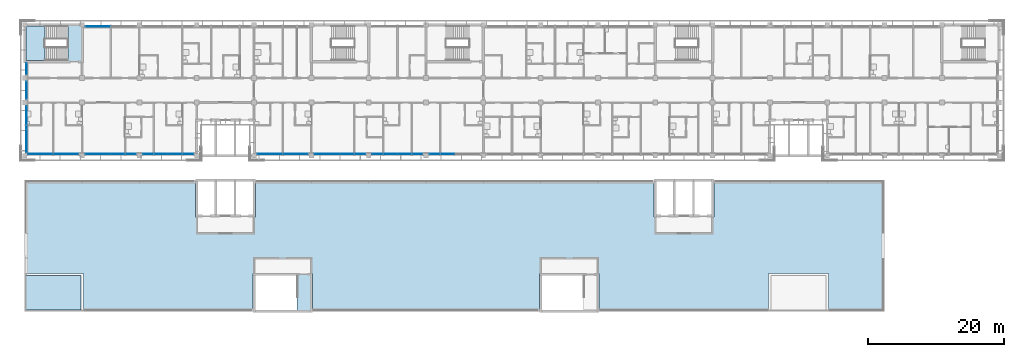
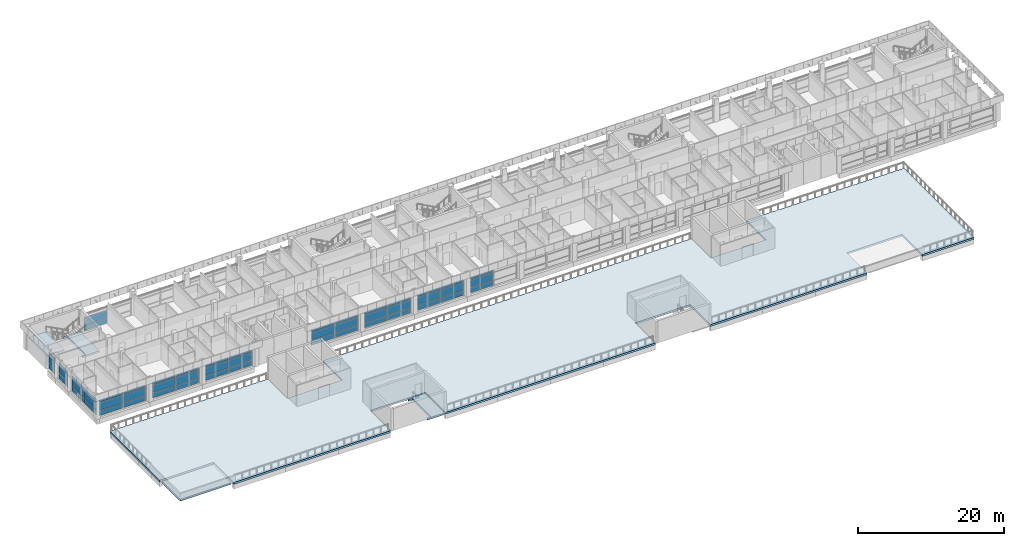
# One storey, part 14 of 46: 53 plates, 5 slabs, 12 elements without a shape of their own.
"""IFC4 building model written with IfcOpenShell, lengths in metres."""

from ifc_helpers import new_model, si_unit, direction, frame, origin, origin_2d, place, context, subcontext, project, spatial, polyline, rectangle, outline, extrude, material, layer, layer_set, type_object, element, aggregate, save


model = new_model("IFC4")

# Units and contexts
model_context = context("Model", 3, precision=1e-05, world=origin(), true_north=direction((0.0, 1.0)))
body_context = subcontext(model_context, "Body", "Model", "MODEL_VIEW")
ifc_project = project(units=[si_unit("LENGTHUNIT", "METRE"), si_unit("AREAUNIT", "SQUARE_METRE"), si_unit("VOLUMEUNIT", "CUBIC_METRE"), si_unit("PLANEANGLEUNIT", "RADIAN"), si_unit("MASSUNIT", "GRAM", prefix="KILO")], contexts=[model_context])

# Site, building, storey
site_placement = place(None, origin())
site = spatial("IfcSite", under=ifc_project, at=site_placement, CompositionType="ELEMENT")
building_placement = place(site_placement, origin())
building = spatial("IfcBuilding", under=site, at=building_placement, Name="Bougainvillea Quay General Hospital", CompositionType="ELEMENT")
storey_placement = place(building_placement, frame((0.0, 0.0, 28.800048828125)))
storey = spatial("IfcBuildingStorey", under=building, at=storey_placement, Name="L06", CompositionType="ELEMENT", Elevation=28.800048828125)

# Curtain wall, plate
ifc_material_1 = material(Name="Aluminium curtain wall system, powder-coated glazed", Category="aluminium")
curtain_wall_type_1 = type_object("IfcCurtainWallType", Name="Unitised curtain wall CW-3730", PredefinedType="NOTDEFINED", material=ifc_material_1)
curtain_wall_1_placement = place(storey_placement, origin())
curtain_wall_1 = element("IfcCurtainWall", 1, at=curtain_wall_1_placement, inside=storey, type_object=curtain_wall_type_1, Name="CW-4200 11", PredefinedType="NOTDEFINED")
ifc_material_2 = material(Name="Insulated aluminium spandrel panel, white", Category="aluminium")
ifc_layer_1 = layer(ifc_material_2, 0.028076171875)
ifc_layer_set_1 = layer_set([ifc_layer_1], Name="Insulated aluminium spandrel panel, white")
plate_type_1 = type_object("IfcPlateType", Name="Insulated spandrel panel white 28", PredefinedType="CURTAIN_PANEL", material=ifc_layer_set_1)
plate_1_placement = place(storey_placement, frame((52.75, 159.35009765625, 0.059814453125), z_axis=(0.0, 0.0, 1.0), x_axis=(-1.0, 0.0, 0.0)))
plate_1 = element("IfcPlate", 2, at=plate_1_placement, type_object=plate_type_1, Name="CW-4200 spandrel panel 2.1", PredefinedType="CURTAIN_PANEL", context=body_context, shape_type="SweptSolid", body=[
    extrude(rectangle(XDim=3.639892578125, YDim=0.028076171875, at=origin_2d()), origin(), (0.0, 0.0, 1.0), 0.81005859375),
])

# Curtain wall, plates
curtain_wall_type_2 = type_object("IfcCurtainWallType", Name="Unitised curtain wall CW-1755", PredefinedType="NOTDEFINED", material=ifc_material_1)
curtain_wall_2_placement = place(storey_placement, origin())
curtain_wall_2 = element("IfcCurtainWall", 3, at=curtain_wall_2_placement, inside=storey, type_object=curtain_wall_type_2, Name="CW-4200 00", PredefinedType="NOTDEFINED")
plate_2_placement = place(storey_placement, frame((42.25, 153.1474609375, 0.059814453125), z_axis=(0.0, 0.0, 1.0), x_axis=(0.0, -1.0, 0.0)))
plate_2 = element("IfcPlate", 4, at=plate_2_placement, type_object=plate_type_1, Name="CW-4200 spandrel panel 1.1", PredefinedType="CURTAIN_PANEL", context=body_context, shape_type="SweptSolid", body=[
    extrude(rectangle(XDim=1.635009765625, YDim=0.028076171875, at=origin_2d()), origin(), (0.0, 0.0, 1.0), 0.81005859375),
])
plate_3_placement = place(storey_placement, frame((42.25, 153.1474609375, 2.27978515625), z_axis=(0.0, 0.0, 1.0), x_axis=(0.0, -1.0, 0.0)))
plate_3 = element("IfcPlate", 5, at=plate_3_placement, type_object=plate_type_1, Name="CW-4200 spandrel panel 1.3", PredefinedType="CURTAIN_PANEL", context=body_context, shape_type="SweptSolid", body=[
    extrude(rectangle(XDim=1.635009765625, YDim=0.028076171875, at=origin_2d()), origin(), (0.0, 0.0, 1.0), 0.409912109375),
])

curtain_wall_type_3 = type_object("IfcCurtainWallType", Name="Unitised curtain wall CW-2660", PredefinedType="NOTDEFINED", material=ifc_material_1)
curtain_wall_3_placement = place(storey_placement, origin())
curtain_wall_3 = element("IfcCurtainWall", 6, at=curtain_wall_3_placement, inside=storey, type_object=curtain_wall_type_3, Name="CW-4200 01", PredefinedType="NOTDEFINED")
plate_4_placement = place(storey_placement, frame((42.25, 150.0, 0.059814453125), z_axis=(0.0, 0.0, 1.0), x_axis=(0.0, -1.0, 0.0)))
plate_4 = element("IfcPlate", 7, at=plate_4_placement, type_object=plate_type_1, Name="CW-4200 spandrel panel 1.1", PredefinedType="CURTAIN_PANEL", context=body_context, shape_type="SweptSolid", body=[
    extrude(rectangle(XDim=2.5400390625, YDim=0.028076171875, at=origin_2d()), origin(), (0.0, 0.0, 1.0), 0.81005859375),
])
plate_5_placement = place(storey_placement, frame((42.25, 150.0, 2.27978515625), z_axis=(0.0, 0.0, 1.0), x_axis=(0.0, -1.0, 0.0)))
plate_5 = element("IfcPlate", 8, at=plate_5_placement, type_object=plate_type_1, Name="CW-4200 spandrel panel 1.3", PredefinedType="CURTAIN_PANEL", context=body_context, shape_type="SweptSolid", body=[
    extrude(rectangle(XDim=2.5400390625, YDim=0.028076171875, at=origin_2d()), origin(), (0.0, 0.0, 1.0), 0.409912109375),
])

curtain_wall_type_4 = type_object("IfcCurtainWallType", Name="Unitised curtain wall CW-3430", PredefinedType="NOTDEFINED", material=ifc_material_1)
curtain_wall_4_placement = place(storey_placement, origin())
curtain_wall_4 = element("IfcCurtainWall", 9, at=curtain_wall_4_placement, inside=storey, type_object=curtain_wall_type_4, Name="CW-4200 02", PredefinedType="NOTDEFINED")
plate_6_placement = place(storey_placement, frame((42.25, 146.0, 0.059814453125), z_axis=(0.0, 0.0, 1.0), x_axis=(0.0, -1.0, 0.0)))
plate_6 = element("IfcPlate", 10, at=plate_6_placement, type_object=plate_type_1, Name="CW-4200 spandrel panel 1.1", PredefinedType="CURTAIN_PANEL", context=body_context, shape_type="SweptSolid", body=[
    extrude(rectangle(XDim=3.340087890625, YDim=0.028076171875, at=origin_2d()), origin(), (0.0, 0.0, 1.0), 0.81005859375),
])
plate_7_placement = place(storey_placement, frame((42.25, 146.0, 2.27978515625), z_axis=(0.0, 0.0, 1.0), x_axis=(0.0, -1.0, 0.0)))
plate_7 = element("IfcPlate", 11, at=plate_7_placement, type_object=plate_type_1, Name="CW-4200 spandrel panel 1.3", PredefinedType="CURTAIN_PANEL", context=body_context, shape_type="SweptSolid", body=[
    extrude(rectangle(XDim=3.340087890625, YDim=0.028076171875, at=origin_2d()), origin(), (0.0, 0.0, 1.0), 0.409912109375),
])
plate_8_placement = place(storey_placement, frame((42.25, 142.60009765625, 0.059814453125), z_axis=(0.0, 0.0, 1.0), x_axis=(0.0, -1.0, 0.0)))
plate_8 = element("IfcPlate", 12, at=plate_8_placement, type_object=plate_type_1, Name="CW-4200 spandrel panel 2.1", PredefinedType="CURTAIN_PANEL", context=body_context, shape_type="SweptSolid", body=[
    extrude(rectangle(XDim=3.340087890625, YDim=0.028076171875, at=origin_2d()), origin(), (0.0, 0.0, 1.0), 0.81005859375),
])
plate_9_placement = place(storey_placement, frame((42.25, 142.60009765625, 2.27978515625), z_axis=(0.0, 0.0, 1.0), x_axis=(0.0, -1.0, 0.0)))
plate_9 = element("IfcPlate", 13, at=plate_9_placement, type_object=plate_type_1, Name="CW-4200 spandrel panel 2.3", PredefinedType="CURTAIN_PANEL", context=body_context, shape_type="SweptSolid", body=[
    extrude(rectangle(XDim=3.340087890625, YDim=0.028076171875, at=origin_2d()), origin(), (0.0, 0.0, 1.0), 0.409912109375),
])

curtain_wall_5_placement = place(storey_placement, origin())
curtain_wall_5 = element("IfcCurtainWall", 14, at=curtain_wall_5_placement, inside=storey, type_object=curtain_wall_type_1, Name="CW-4200 00", PredefinedType="NOTDEFINED")
plate_10_placement = place(storey_placement, frame((44.35009765625, 140.64990234375, 0.059814453125), z_axis=(0.0, 0.0, 1.0), x_axis=(1.0, 0.0, 0.0)))
plate_10 = element("IfcPlate", 15, at=plate_10_placement, type_object=plate_type_1, Name="CW-4200 spandrel panel 1.1", PredefinedType="CURTAIN_PANEL", context=body_context, shape_type="SweptSolid", body=[
    extrude(rectangle(XDim=3.639892578125, YDim=0.028076171875, at=origin_2d()), origin(), (0.0, 0.0, 1.0), 0.81005859375),
])
plate_11_placement = place(storey_placement, frame((44.35009765625, 140.64990234375, 2.27978515625), z_axis=(0.0, 0.0, 1.0), x_axis=(1.0, 0.0, 0.0)))
plate_11 = element("IfcPlate", 16, at=plate_11_placement, type_object=plate_type_1, Name="CW-4200 spandrel panel 1.3", PredefinedType="CURTAIN_PANEL", context=body_context, shape_type="SweptSolid", body=[
    extrude(rectangle(XDim=3.639892578125, YDim=0.028076171875, at=origin_2d()), origin(), (0.0, 0.0, 1.0), 0.409912109375),
])
plate_12_placement = place(storey_placement, frame((48.050048828125, 140.64990234375, 0.059814453125), z_axis=(0.0, 0.0, 1.0), x_axis=(1.0, 0.0, 0.0)))
plate_12 = element("IfcPlate", 17, at=plate_12_placement, type_object=plate_type_1, Name="CW-4200 spandrel panel 2.1", PredefinedType="CURTAIN_PANEL", context=body_context, shape_type="SweptSolid", body=[
    extrude(rectangle(XDim=3.639892578125, YDim=0.028076171875, at=origin_2d()), origin(), (0.0, 0.0, 1.0), 0.81005859375),
])
plate_13_placement = place(storey_placement, frame((48.050048828125, 140.64990234375, 2.27978515625), z_axis=(0.0, 0.0, 1.0), x_axis=(1.0, 0.0, 0.0)))
plate_13 = element("IfcPlate", 18, at=plate_13_placement, type_object=plate_type_1, Name="CW-4200 spandrel panel 2.3", PredefinedType="CURTAIN_PANEL", context=body_context, shape_type="SweptSolid", body=[
    extrude(rectangle(XDim=3.639892578125, YDim=0.028076171875, at=origin_2d()), origin(), (0.0, 0.0, 1.0), 0.409912109375),
])

curtain_wall_6_placement = place(storey_placement, origin())
curtain_wall_6 = element("IfcCurtainWall", 19, at=curtain_wall_6_placement, inside=storey, type_object=curtain_wall_type_1, Name="CW-4200 01", PredefinedType="NOTDEFINED")
plate_14_placement = place(storey_placement, frame((52.75, 140.64990234375, 0.059814453125), z_axis=(0.0, 0.0, 1.0), x_axis=(1.0, 0.0, 0.0)))
plate_14 = element("IfcPlate", 20, at=plate_14_placement, type_object=plate_type_1, Name="CW-4200 spandrel panel 1.1", PredefinedType="CURTAIN_PANEL", context=body_context, shape_type="SweptSolid", body=[
    extrude(rectangle(XDim=3.639892578125, YDim=0.028076171875, at=origin_2d()), origin(), (0.0, 0.0, 1.0), 0.81005859375),
])
plate_15_placement = place(storey_placement, frame((52.75, 140.64990234375, 2.27978515625), z_axis=(0.0, 0.0, 1.0), x_axis=(1.0, 0.0, 0.0)))
plate_15 = element("IfcPlate", 21, at=plate_15_placement, type_object=plate_type_1, Name="CW-4200 spandrel panel 1.3", PredefinedType="CURTAIN_PANEL", context=body_context, shape_type="SweptSolid", body=[
    extrude(rectangle(XDim=3.639892578125, YDim=0.028076171875, at=origin_2d()), origin(), (0.0, 0.0, 1.0), 0.409912109375),
])
plate_16_placement = place(storey_placement, frame((56.449951171875, 140.64990234375, 0.059814453125), z_axis=(0.0, 0.0, 1.0), x_axis=(1.0, 0.0, 0.0)))
plate_16 = element("IfcPlate", 22, at=plate_16_placement, type_object=plate_type_1, Name="CW-4200 spandrel panel 2.1", PredefinedType="CURTAIN_PANEL", context=body_context, shape_type="SweptSolid", body=[
    extrude(rectangle(XDim=3.639892578125, YDim=0.028076171875, at=origin_2d()), origin(), (0.0, 0.0, 1.0), 0.81005859375),
])
plate_17_placement = place(storey_placement, frame((56.449951171875, 140.64990234375, 2.27978515625), z_axis=(0.0, 0.0, 1.0), x_axis=(1.0, 0.0, 0.0)))
plate_17 = element("IfcPlate", 23, at=plate_17_placement, type_object=plate_type_1, Name="CW-4200 spandrel panel 2.3", PredefinedType="CURTAIN_PANEL", context=body_context, shape_type="SweptSolid", body=[
    extrude(rectangle(XDim=3.639892578125, YDim=0.028076171875, at=origin_2d()), origin(), (0.0, 0.0, 1.0), 0.409912109375),
])

curtain_wall_7_placement = place(storey_placement, origin())
curtain_wall_7 = element("IfcCurtainWall", 24, at=curtain_wall_7_placement, inside=storey, type_object=curtain_wall_type_1, Name="CW-4200 02", PredefinedType="NOTDEFINED")
plate_18_placement = place(storey_placement, frame((61.14990234375, 140.64990234375, 0.059814453125), z_axis=(0.0, 0.0, 1.0), x_axis=(1.0, 0.0, 0.0)))
plate_18 = element("IfcPlate", 25, at=plate_18_placement, type_object=plate_type_1, Name="CW-4200 spandrel panel 1.1", PredefinedType="CURTAIN_PANEL", context=body_context, shape_type="SweptSolid", body=[
    extrude(rectangle(XDim=3.639892578125, YDim=0.028076171875, at=origin_2d()), origin(), (0.0, 0.0, 1.0), 0.81005859375),
])
plate_19_placement = place(storey_placement, frame((61.14990234375, 140.64990234375, 2.27978515625), z_axis=(0.0, 0.0, 1.0), x_axis=(1.0, 0.0, 0.0)))
plate_19 = element("IfcPlate", 26, at=plate_19_placement, type_object=plate_type_1, Name="CW-4200 spandrel panel 1.3", PredefinedType="CURTAIN_PANEL", context=body_context, shape_type="SweptSolid", body=[
    extrude(rectangle(XDim=3.639892578125, YDim=0.028076171875, at=origin_2d()), origin(), (0.0, 0.0, 1.0), 0.409912109375),
])
plate_20_placement = place(storey_placement, frame((64.85009765625, 140.64990234375, 0.059814453125), z_axis=(0.0, 0.0, 1.0), x_axis=(1.0, 0.0, 0.0)))
plate_20 = element("IfcPlate", 27, at=plate_20_placement, type_object=plate_type_1, Name="CW-4200 spandrel panel 2.1", PredefinedType="CURTAIN_PANEL", context=body_context, shape_type="SweptSolid", body=[
    extrude(rectangle(XDim=3.639892578125, YDim=0.028076171875, at=origin_2d()), origin(), (0.0, 0.0, 1.0), 0.81005859375),
])
plate_21_placement = place(storey_placement, frame((64.85009765625, 140.64990234375, 2.27978515625), z_axis=(0.0, 0.0, 1.0), x_axis=(1.0, 0.0, 0.0)))
plate_21 = element("IfcPlate", 28, at=plate_21_placement, type_object=plate_type_1, Name="CW-4200 spandrel panel 2.3", PredefinedType="CURTAIN_PANEL", context=body_context, shape_type="SweptSolid", body=[
    extrude(rectangle(XDim=3.639892578125, YDim=0.028076171875, at=origin_2d()), origin(), (0.0, 0.0, 1.0), 0.409912109375),
])

curtain_wall_8_placement = place(storey_placement, origin())
curtain_wall_8 = element("IfcCurtainWall", 29, at=curtain_wall_8_placement, inside=storey, type_object=curtain_wall_type_1, Name="CW-4200 00", PredefinedType="NOTDEFINED")
plate_22_placement = place(storey_placement, frame((77.949951171875, 140.64990234375, 0.059814453125), z_axis=(0.0, 0.0, 1.0), x_axis=(1.0, 0.0, 0.0)))
plate_22 = element("IfcPlate", 30, at=plate_22_placement, type_object=plate_type_1, Name="CW-4200 spandrel panel 1.1", PredefinedType="CURTAIN_PANEL", context=body_context, shape_type="SweptSolid", body=[
    extrude(rectangle(XDim=3.639892578125, YDim=0.028076171875, at=origin_2d()), origin(), (0.0, 0.0, 1.0), 0.81005859375),
])
plate_23_placement = place(storey_placement, frame((77.949951171875, 140.64990234375, 2.27978515625), z_axis=(0.0, 0.0, 1.0), x_axis=(1.0, 0.0, 0.0)))
plate_23 = element("IfcPlate", 31, at=plate_23_placement, type_object=plate_type_1, Name="CW-4200 spandrel panel 1.3", PredefinedType="CURTAIN_PANEL", context=body_context, shape_type="SweptSolid", body=[
    extrude(rectangle(XDim=3.639892578125, YDim=0.028076171875, at=origin_2d()), origin(), (0.0, 0.0, 1.0), 0.409912109375),
])
plate_24_placement = place(storey_placement, frame((81.64990234375, 140.64990234375, 0.059814453125), z_axis=(0.0, 0.0, 1.0), x_axis=(1.0, 0.0, 0.0)))
plate_24 = element("IfcPlate", 32, at=plate_24_placement, type_object=plate_type_1, Name="CW-4200 spandrel panel 2.1", PredefinedType="CURTAIN_PANEL", context=body_context, shape_type="SweptSolid", body=[
    extrude(rectangle(XDim=3.639892578125, YDim=0.028076171875, at=origin_2d()), origin(), (0.0, 0.0, 1.0), 0.81005859375),
])
plate_25_placement = place(storey_placement, frame((81.64990234375, 140.64990234375, 2.27978515625), z_axis=(0.0, 0.0, 1.0), x_axis=(1.0, 0.0, 0.0)))
plate_25 = element("IfcPlate", 33, at=plate_25_placement, type_object=plate_type_1, Name="CW-4200 spandrel panel 2.3", PredefinedType="CURTAIN_PANEL", context=body_context, shape_type="SweptSolid", body=[
    extrude(rectangle(XDim=3.639892578125, YDim=0.028076171875, at=origin_2d()), origin(), (0.0, 0.0, 1.0), 0.409912109375),
])

curtain_wall_9_placement = place(storey_placement, origin())
curtain_wall_9 = element("IfcCurtainWall", 34, at=curtain_wall_9_placement, inside=storey, type_object=curtain_wall_type_1, Name="CW-4200 01", PredefinedType="NOTDEFINED")
plate_26_placement = place(storey_placement, frame((86.35009765625, 140.64990234375, 0.059814453125), z_axis=(0.0, 0.0, 1.0), x_axis=(1.0, 0.0, 0.0)))
plate_26 = element("IfcPlate", 35, at=plate_26_placement, type_object=plate_type_1, Name="CW-4200 spandrel panel 1.1", PredefinedType="CURTAIN_PANEL", context=body_context, shape_type="SweptSolid", body=[
    extrude(rectangle(XDim=3.639892578125, YDim=0.028076171875, at=origin_2d()), origin(), (0.0, 0.0, 1.0), 0.81005859375),
])
plate_27_placement = place(storey_placement, frame((86.35009765625, 140.64990234375, 2.27978515625), z_axis=(0.0, 0.0, 1.0), x_axis=(1.0, 0.0, 0.0)))
plate_27 = element("IfcPlate", 36, at=plate_27_placement, type_object=plate_type_1, Name="CW-4200 spandrel panel 1.3", PredefinedType="CURTAIN_PANEL", context=body_context, shape_type="SweptSolid", body=[
    extrude(rectangle(XDim=3.639892578125, YDim=0.028076171875, at=origin_2d()), origin(), (0.0, 0.0, 1.0), 0.409912109375),
])
plate_28_placement = place(storey_placement, frame((90.050048828125, 140.64990234375, 0.059814453125), z_axis=(0.0, 0.0, 1.0), x_axis=(1.0, 0.0, 0.0)))
plate_28 = element("IfcPlate", 37, at=plate_28_placement, type_object=plate_type_1, Name="CW-4200 spandrel panel 2.1", PredefinedType="CURTAIN_PANEL", context=body_context, shape_type="SweptSolid", body=[
    extrude(rectangle(XDim=3.639892578125, YDim=0.028076171875, at=origin_2d()), origin(), (0.0, 0.0, 1.0), 0.81005859375),
])
plate_29_placement = place(storey_placement, frame((90.050048828125, 140.64990234375, 2.27978515625), z_axis=(0.0, 0.0, 1.0), x_axis=(1.0, 0.0, 0.0)))
plate_29 = element("IfcPlate", 38, at=plate_29_placement, type_object=plate_type_1, Name="CW-4200 spandrel panel 2.3", PredefinedType="CURTAIN_PANEL", context=body_context, shape_type="SweptSolid", body=[
    extrude(rectangle(XDim=3.639892578125, YDim=0.028076171875, at=origin_2d()), origin(), (0.0, 0.0, 1.0), 0.409912109375),
])

curtain_wall_10_placement = place(storey_placement, origin())
curtain_wall_10 = element("IfcCurtainWall", 39, at=curtain_wall_10_placement, inside=storey, type_object=curtain_wall_type_1, Name="CW-4200 02", PredefinedType="NOTDEFINED")
plate_30_placement = place(storey_placement, frame((94.75, 140.64990234375, 0.059814453125), z_axis=(0.0, 0.0, 1.0), x_axis=(1.0, 0.0, 0.0)))
plate_30 = element("IfcPlate", 40, at=plate_30_placement, type_object=plate_type_1, Name="CW-4200 spandrel panel 1.1", PredefinedType="CURTAIN_PANEL", context=body_context, shape_type="SweptSolid", body=[
    extrude(rectangle(XDim=3.639892578125, YDim=0.028076171875, at=origin_2d()), origin(), (0.0, 0.0, 1.0), 0.81005859375),
])
plate_31_placement = place(storey_placement, frame((94.75, 140.64990234375, 2.27978515625), z_axis=(0.0, 0.0, 1.0), x_axis=(1.0, 0.0, 0.0)))
plate_31 = element("IfcPlate", 41, at=plate_31_placement, type_object=plate_type_1, Name="CW-4200 spandrel panel 1.3", PredefinedType="CURTAIN_PANEL", context=body_context, shape_type="SweptSolid", body=[
    extrude(rectangle(XDim=3.639892578125, YDim=0.028076171875, at=origin_2d()), origin(), (0.0, 0.0, 1.0), 0.409912109375),
])
plate_32_placement = place(storey_placement, frame((98.449951171875, 140.64990234375, 0.059814453125), z_axis=(0.0, 0.0, 1.0), x_axis=(1.0, 0.0, 0.0)))
plate_32 = element("IfcPlate", 42, at=plate_32_placement, type_object=plate_type_1, Name="CW-4200 spandrel panel 2.1", PredefinedType="CURTAIN_PANEL", context=body_context, shape_type="SweptSolid", body=[
    extrude(rectangle(XDim=3.639892578125, YDim=0.028076171875, at=origin_2d()), origin(), (0.0, 0.0, 1.0), 0.81005859375),
])
plate_33_placement = place(storey_placement, frame((98.449951171875, 140.64990234375, 2.27978515625), z_axis=(0.0, 0.0, 1.0), x_axis=(1.0, 0.0, 0.0)))
plate_33 = element("IfcPlate", 43, at=plate_33_placement, type_object=plate_type_1, Name="CW-4200 spandrel panel 2.3", PredefinedType="CURTAIN_PANEL", context=body_context, shape_type="SweptSolid", body=[
    extrude(rectangle(XDim=3.639892578125, YDim=0.028076171875, at=origin_2d()), origin(), (0.0, 0.0, 1.0), 0.409912109375),
])

curtain_wall_11_placement = place(storey_placement, origin())
curtain_wall_11 = element("IfcCurtainWall", 44, at=curtain_wall_11_placement, inside=storey, type_object=curtain_wall_type_1, Name="CW-4200 03", PredefinedType="NOTDEFINED")
plate_34_placement = place(storey_placement, frame((103.14990234375, 140.64990234375, 0.059814453125), z_axis=(0.0, 0.0, 1.0), x_axis=(1.0, 0.0, 0.0)))
plate_34 = element("IfcPlate", 45, at=plate_34_placement, type_object=plate_type_1, Name="CW-4200 spandrel panel 1.1", PredefinedType="CURTAIN_PANEL", context=body_context, shape_type="SweptSolid", body=[
    extrude(rectangle(XDim=3.639892578125, YDim=0.028076171875, at=origin_2d()), origin(), (0.0, 0.0, 1.0), 0.81005859375),
])
plate_35_placement = place(storey_placement, frame((103.14990234375, 140.64990234375, 2.27978515625), z_axis=(0.0, 0.0, 1.0), x_axis=(1.0, 0.0, 0.0)))
plate_35 = element("IfcPlate", 46, at=plate_35_placement, type_object=plate_type_1, Name="CW-4200 spandrel panel 1.3", PredefinedType="CURTAIN_PANEL", context=body_context, shape_type="SweptSolid", body=[
    extrude(rectangle(XDim=3.639892578125, YDim=0.028076171875, at=origin_2d()), origin(), (0.0, 0.0, 1.0), 0.409912109375),
])

# Plate
ifc_material_3 = material(Name="Low-e laminated glass, solar control", Category="glass")
ifc_layer_2 = layer(ifc_material_3, 0.028076171875)
ifc_layer_set_2 = layer_set([ifc_layer_2], Name="Low-e laminated glass, solar control")
plate_type_2 = type_object("IfcPlateType", Name="Low-e laminated vision glass 28", PredefinedType="CURTAIN_PANEL", material=ifc_layer_set_2)
plate_36_placement = place(storey_placement, frame((52.75, 159.35009765625, 0.929931640625), z_axis=(0.0, 0.0, 1.0), x_axis=(-1.0, 0.0, 0.0)))
plate_36 = element("IfcPlate", 47, at=plate_36_placement, type_object=plate_type_2, Name="CW-4200 vision glass panel 2.2", PredefinedType="CURTAIN_PANEL", context=body_context, shape_type="SweptSolid", body=[
    extrude(rectangle(XDim=3.639892578125, YDim=0.028076171875, at=origin_2d()), origin(), (0.0, 0.0, 1.0), 1.2900390625),
])

aggregate(curtain_wall_1, [plate_1, plate_36])

plate_37_placement = place(storey_placement, frame((42.25, 153.1474609375, 0.929931640625), z_axis=(0.0, 0.0, 1.0), x_axis=(0.0, -1.0, 0.0)))
plate_37 = element("IfcPlate", 48, at=plate_37_placement, type_object=plate_type_2, Name="CW-4200 vision glass panel 1.2", PredefinedType="CURTAIN_PANEL", context=body_context, shape_type="SweptSolid", body=[
    extrude(rectangle(XDim=1.635009765625, YDim=0.028076171875, at=origin_2d()), origin(), (0.0, 0.0, 1.0), 1.2900390625),
])

aggregate(curtain_wall_2, [plate_2, plate_37, plate_3])

plate_38_placement = place(storey_placement, frame((42.25, 150.0, 0.929931640625), z_axis=(0.0, 0.0, 1.0), x_axis=(0.0, -1.0, 0.0)))
plate_38 = element("IfcPlate", 49, at=plate_38_placement, type_object=plate_type_2, Name="CW-4200 vision glass panel 1.2", PredefinedType="CURTAIN_PANEL", context=body_context, shape_type="SweptSolid", body=[
    extrude(rectangle(XDim=2.5400390625, YDim=0.028076171875, at=origin_2d()), origin(), (0.0, 0.0, 1.0), 1.2900390625),
])

aggregate(curtain_wall_3, [plate_4, plate_38, plate_5])

plate_39_placement = place(storey_placement, frame((42.25, 146.0, 0.929931640625), z_axis=(0.0, 0.0, 1.0), x_axis=(0.0, -1.0, 0.0)))
plate_39 = element("IfcPlate", 50, at=plate_39_placement, type_object=plate_type_2, Name="CW-4200 vision glass panel 1.2", PredefinedType="CURTAIN_PANEL", context=body_context, shape_type="SweptSolid", body=[
    extrude(rectangle(XDim=3.340087890625, YDim=0.028076171875, at=origin_2d()), origin(), (0.0, 0.0, 1.0), 1.2900390625),
])

plate_40_placement = place(storey_placement, frame((42.25, 142.60009765625, 0.929931640625), z_axis=(0.0, 0.0, 1.0), x_axis=(0.0, -1.0, 0.0)))
plate_40 = element("IfcPlate", 51, at=plate_40_placement, type_object=plate_type_2, Name="CW-4200 vision glass panel 2.2", PredefinedType="CURTAIN_PANEL", context=body_context, shape_type="SweptSolid", body=[
    extrude(rectangle(XDim=3.340087890625, YDim=0.028076171875, at=origin_2d()), origin(), (0.0, 0.0, 1.0), 1.2900390625),
])

aggregate(curtain_wall_4, [plate_6, plate_39, plate_7, plate_8, plate_40, plate_9])

plate_41_placement = place(storey_placement, frame((44.35009765625, 140.64990234375, 0.929931640625), z_axis=(0.0, 0.0, 1.0), x_axis=(1.0, 0.0, 0.0)))
plate_41 = element("IfcPlate", 52, at=plate_41_placement, type_object=plate_type_2, Name="CW-4200 vision glass panel 1.2", PredefinedType="CURTAIN_PANEL", context=body_context, shape_type="SweptSolid", body=[
    extrude(rectangle(XDim=3.639892578125, YDim=0.028076171875, at=origin_2d()), origin(), (0.0, 0.0, 1.0), 1.2900390625),
])

plate_42_placement = place(storey_placement, frame((48.050048828125, 140.64990234375, 0.929931640625), z_axis=(0.0, 0.0, 1.0), x_axis=(1.0, 0.0, 0.0)))
plate_42 = element("IfcPlate", 53, at=plate_42_placement, type_object=plate_type_2, Name="CW-4200 vision glass panel 2.2", PredefinedType="CURTAIN_PANEL", context=body_context, shape_type="SweptSolid", body=[
    extrude(rectangle(XDim=3.639892578125, YDim=0.028076171875, at=origin_2d()), origin(), (0.0, 0.0, 1.0), 1.2900390625),
])

aggregate(curtain_wall_5, [plate_10, plate_41, plate_11, plate_12, plate_42, plate_13])

plate_43_placement = place(storey_placement, frame((52.75, 140.64990234375, 0.929931640625), z_axis=(0.0, 0.0, 1.0), x_axis=(1.0, 0.0, 0.0)))
plate_43 = element("IfcPlate", 54, at=plate_43_placement, type_object=plate_type_2, Name="CW-4200 vision glass panel 1.2", PredefinedType="CURTAIN_PANEL", context=body_context, shape_type="SweptSolid", body=[
    extrude(rectangle(XDim=3.639892578125, YDim=0.028076171875, at=origin_2d()), origin(), (0.0, 0.0, 1.0), 1.2900390625),
])

plate_44_placement = place(storey_placement, frame((56.449951171875, 140.64990234375, 0.929931640625), z_axis=(0.0, 0.0, 1.0), x_axis=(1.0, 0.0, 0.0)))
plate_44 = element("IfcPlate", 55, at=plate_44_placement, type_object=plate_type_2, Name="CW-4200 vision glass panel 2.2", PredefinedType="CURTAIN_PANEL", context=body_context, shape_type="SweptSolid", body=[
    extrude(rectangle(XDim=3.639892578125, YDim=0.028076171875, at=origin_2d()), origin(), (0.0, 0.0, 1.0), 1.2900390625),
])

aggregate(curtain_wall_6, [plate_14, plate_43, plate_15, plate_16, plate_44, plate_17])

plate_45_placement = place(storey_placement, frame((61.14990234375, 140.64990234375, 0.929931640625), z_axis=(0.0, 0.0, 1.0), x_axis=(1.0, 0.0, 0.0)))
plate_45 = element("IfcPlate", 56, at=plate_45_placement, type_object=plate_type_2, Name="CW-4200 vision glass panel 1.2", PredefinedType="CURTAIN_PANEL", context=body_context, shape_type="SweptSolid", body=[
    extrude(rectangle(XDim=3.639892578125, YDim=0.028076171875, at=origin_2d()), origin(), (0.0, 0.0, 1.0), 1.2900390625),
])

plate_46_placement = place(storey_placement, frame((64.85009765625, 140.64990234375, 0.929931640625), z_axis=(0.0, 0.0, 1.0), x_axis=(1.0, 0.0, 0.0)))
plate_46 = element("IfcPlate", 57, at=plate_46_placement, type_object=plate_type_2, Name="CW-4200 vision glass panel 2.2", PredefinedType="CURTAIN_PANEL", context=body_context, shape_type="SweptSolid", body=[
    extrude(rectangle(XDim=3.639892578125, YDim=0.028076171875, at=origin_2d()), origin(), (0.0, 0.0, 1.0), 1.2900390625),
])

aggregate(curtain_wall_7, [plate_18, plate_45, plate_19, plate_20, plate_46, plate_21])

plate_47_placement = place(storey_placement, frame((77.949951171875, 140.64990234375, 0.929931640625), z_axis=(0.0, 0.0, 1.0), x_axis=(1.0, 0.0, 0.0)))
plate_47 = element("IfcPlate", 58, at=plate_47_placement, type_object=plate_type_2, Name="CW-4200 vision glass panel 1.2", PredefinedType="CURTAIN_PANEL", context=body_context, shape_type="SweptSolid", body=[
    extrude(rectangle(XDim=3.639892578125, YDim=0.028076171875, at=origin_2d()), origin(), (0.0, 0.0, 1.0), 1.2900390625),
])

plate_48_placement = place(storey_placement, frame((81.64990234375, 140.64990234375, 0.929931640625), z_axis=(0.0, 0.0, 1.0), x_axis=(1.0, 0.0, 0.0)))
plate_48 = element("IfcPlate", 59, at=plate_48_placement, type_object=plate_type_2, Name="CW-4200 vision glass panel 2.2", PredefinedType="CURTAIN_PANEL", context=body_context, shape_type="SweptSolid", body=[
    extrude(rectangle(XDim=3.639892578125, YDim=0.028076171875, at=origin_2d()), origin(), (0.0, 0.0, 1.0), 1.2900390625),
])

aggregate(curtain_wall_8, [plate_22, plate_47, plate_23, plate_24, plate_48, plate_25])

plate_49_placement = place(storey_placement, frame((86.35009765625, 140.64990234375, 0.929931640625), z_axis=(0.0, 0.0, 1.0), x_axis=(1.0, 0.0, 0.0)))
plate_49 = element("IfcPlate", 60, at=plate_49_placement, type_object=plate_type_2, Name="CW-4200 vision glass panel 1.2", PredefinedType="CURTAIN_PANEL", context=body_context, shape_type="SweptSolid", body=[
    extrude(rectangle(XDim=3.639892578125, YDim=0.028076171875, at=origin_2d()), origin(), (0.0, 0.0, 1.0), 1.2900390625),
])

plate_50_placement = place(storey_placement, frame((90.050048828125, 140.64990234375, 0.929931640625), z_axis=(0.0, 0.0, 1.0), x_axis=(1.0, 0.0, 0.0)))
plate_50 = element("IfcPlate", 61, at=plate_50_placement, type_object=plate_type_2, Name="CW-4200 vision glass panel 2.2", PredefinedType="CURTAIN_PANEL", context=body_context, shape_type="SweptSolid", body=[
    extrude(rectangle(XDim=3.639892578125, YDim=0.028076171875, at=origin_2d()), origin(), (0.0, 0.0, 1.0), 1.2900390625),
])

aggregate(curtain_wall_9, [plate_26, plate_49, plate_27, plate_28, plate_50, plate_29])

plate_51_placement = place(storey_placement, frame((94.75, 140.64990234375, 0.929931640625), z_axis=(0.0, 0.0, 1.0), x_axis=(1.0, 0.0, 0.0)))
plate_51 = element("IfcPlate", 62, at=plate_51_placement, type_object=plate_type_2, Name="CW-4200 vision glass panel 1.2", PredefinedType="CURTAIN_PANEL", context=body_context, shape_type="SweptSolid", body=[
    extrude(rectangle(XDim=3.639892578125, YDim=0.028076171875, at=origin_2d()), origin(), (0.0, 0.0, 1.0), 1.2900390625),
])

plate_52_placement = place(storey_placement, frame((98.449951171875, 140.64990234375, 0.929931640625), z_axis=(0.0, 0.0, 1.0), x_axis=(1.0, 0.0, 0.0)))
plate_52 = element("IfcPlate", 63, at=plate_52_placement, type_object=plate_type_2, Name="CW-4200 vision glass panel 2.2", PredefinedType="CURTAIN_PANEL", context=body_context, shape_type="SweptSolid", body=[
    extrude(rectangle(XDim=3.639892578125, YDim=0.028076171875, at=origin_2d()), origin(), (0.0, 0.0, 1.0), 1.2900390625),
])

aggregate(curtain_wall_10, [plate_30, plate_51, plate_31, plate_32, plate_52, plate_33])

plate_53_placement = place(storey_placement, frame((103.14990234375, 140.64990234375, 0.929931640625), z_axis=(0.0, 0.0, 1.0), x_axis=(1.0, 0.0, 0.0)))
plate_53 = element("IfcPlate", 64, at=plate_53_placement, type_object=plate_type_2, Name="CW-4200 vision glass panel 1.2", PredefinedType="CURTAIN_PANEL", context=body_context, shape_type="SweptSolid", body=[
    extrude(rectangle(XDim=3.639892578125, YDim=0.028076171875, at=origin_2d()), origin(), (0.0, 0.0, 1.0), 1.2900390625),
])

aggregate(curtain_wall_11, [plate_34, plate_53, plate_35])

# Slabs
ifc_material_4 = material(Name="Concrete C35", Category="concrete")
ifc_layer_3 = layer(ifc_material_4, 0.300048828125)
ifc_layer_set_3 = layer_set([ifc_layer_3], Name="Concrete C35")
slab_type_1 = type_object("IfcSlabType", Name="RC FLAT SLAB 300 C35", PredefinedType="FLOOR", material=ifc_layer_set_3)
slab_1_placement = place(storey_placement, frame((0.0, 0.0, -0.300048828125)))
element("IfcSlab", 65, at=slab_1_placement, inside=storey, type_object=slab_type_1, Name="Slab S3 L06", PredefinedType="FLOOR", context=body_context, shape_type="SweptSolid", body=[
    extrude(outline(polyline([(42.175048828125, 122.824951171875), (42.175048828125, 117.77490234375), (50.22509765625, 117.77490234375), (50.22509765625, 122.824951171875), (42.175048828125, 122.824951171875)])), origin(), (0.0, 0.0, 1.0), 0.300048828125),
])
slab_2_placement = place(storey_placement, frame((0.0, 0.0, -0.300048828125)))
element("IfcSlab", 66, at=slab_2_placement, inside=storey, type_object=slab_type_1, Name="Stair landing floor ST-A1 L06", PredefinedType="FLOOR", context=body_context, shape_type="SweptSolid", body=[
    extrude(outline(polyline([(47.702880859375, 159.48388671875), (47.71142578125, 159.5419921875), (47.725830078125, 159.599609375), (50.39990234375, 159.60009765625), (50.39990234375, 154.199951171875), (47.725830078125, 154.200439453125), (47.71142578125, 154.2578125), (47.702880859375, 154.316162109375), (47.699951171875, 154.3740234375), (48.300537109375, 154.374267578125), (48.300537109375, 159.425537109375), (47.699951171875, 159.426025390625), (47.702880859375, 159.48388671875)])), origin(), (0.0, 0.0, 1.0), 0.300048828125),
])
slab_3_placement = place(storey_placement, frame((0.0, 0.0, -0.300048828125)))
element("IfcSlab", 67, at=slab_3_placement, inside=storey, type_object=slab_type_1, Name="Stair landing floor ST-B2 L06", PredefinedType="FLOOR", context=body_context, shape_type="SweptSolid", body=[
    extrude(outline(polyline([(81.302978515625, 122.8837890625), (81.3115234375, 122.942138671875), (81.325927734375, 122.99951171875), (84.0, 123.0), (84.0, 117.60009765625), (81.325927734375, 117.600341796875), (81.3115234375, 117.657958984375), (81.302978515625, 117.71630859375), (81.300048828125, 117.77392578125), (81.900634765625, 117.7744140625), (81.900634765625, 122.82568359375), (81.300048828125, 122.825927734375), (81.302978515625, 122.8837890625)])), origin(), (0.0, 0.0, 1.0), 0.300048828125),
])
ifc_layer_4 = layer(ifc_material_4, 0.300048828125)
ifc_layer_set_4 = layer_set([ifc_layer_4], Name="Concrete C35")
slab_type_2 = type_object("IfcSlabType", Name="RC FLAT SLAB 300 C35 ROOF", PredefinedType="ROOF", material=ifc_layer_set_4)
slab_4_placement = place(storey_placement, frame((0.0, 0.0, -0.300048828125)))
element("IfcSlab", 68, at=slab_4_placement, inside=storey, type_object=slab_type_2, Name="Slab S9 L06", PredefinedType="ROOF", context=body_context, shape_type="SweptSolid", body=[
    extrude(outline(polyline([(159.77490234375, 117.60009765625), (168.0, 117.60009765625), (168.0, 136.800048828125), (142.97509765625, 136.800048828125), (142.97509765625, 131.425048828125), (142.625, 131.425048828125), (140.0, 131.425048828125), (137.199951171875, 131.425048828125), (134.574951171875, 131.425048828125), (134.22509765625, 131.425048828125), (134.22509765625, 136.625), (134.22509765625, 136.800048828125), (75.77490234375, 136.800048828125), (75.77490234375, 131.425048828125), (75.425048828125, 131.425048828125), (72.800048828125, 131.425048828125), (70.0, 131.425048828125), (67.375, 131.425048828125), (67.02490234375, 131.425048828125), (67.02490234375, 136.625), (67.02490234375, 136.800048828125), (42.0, 136.800048828125), (42.0, 123.175048828125), (50.22509765625, 123.175048828125), (50.574951171875, 123.175048828125), (50.574951171875, 117.60009765625), (75.425048828125, 117.60009765625), (75.425048828125, 122.824951171875), (75.425048828125, 123.175048828125), (83.824951171875, 123.175048828125), (84.175048828125, 123.175048828125), (84.175048828125, 117.60009765625), (117.425048828125, 117.60009765625), (117.425048828125, 122.824951171875), (117.425048828125, 123.175048828125), (125.824951171875, 123.175048828125), (126.175048828125, 123.175048828125), (126.175048828125, 117.60009765625), (151.02490234375, 117.60009765625), (151.02490234375, 122.824951171875), (151.02490234375, 123.175048828125), (159.425048828125, 123.175048828125), (159.77490234375, 123.175048828125), (159.77490234375, 117.60009765625)])), origin(), (0.0, 0.0, 1.0), 0.300048828125),
])

# Stair, slab
stair_type = type_object("IfcStairType", Name="Stair half-turn 1925 wide", PredefinedType="HALF_TURN_STAIR", material=ifc_material_4)
stair_placement = place(storey_placement, origin())
stair = element("IfcStair", 69, at=stair_placement, inside=storey, type_object=stair_type, Name="L06 stair ST-A1", PredefinedType="HALF_TURN_STAIR")
ifc_layer_5 = layer(ifc_material_4, 0.199951171875)
ifc_layer_set_5 = layer_set([ifc_layer_5], Name="Concrete C35")
slab_type_3 = type_object("IfcSlabType", Name="Stair landing 200", PredefinedType="LANDING", material=ifc_layer_set_5)
slab_5_placement = place(storey_placement, frame((0.0, 0.0, 1.75)))
slab_5 = element("IfcSlab", 70, at=slab_5_placement, type_object=slab_type_3, Name="ST-A1 landing 1", PredefinedType="LANDING", context=body_context, shape_type="SweptSolid", body=[
    extrude(outline(polyline([(44.93994140625, 159.425048828125), (42.175048828125, 159.425048828125), (42.175048828125, 154.375), (44.93994140625, 154.375), (44.93994140625, 159.425048828125)])), origin(), (0.0, 0.0, 1.0), 0.199951171875),
])
aggregate(stair, [slab_5])

save(model, "model.ifc")
